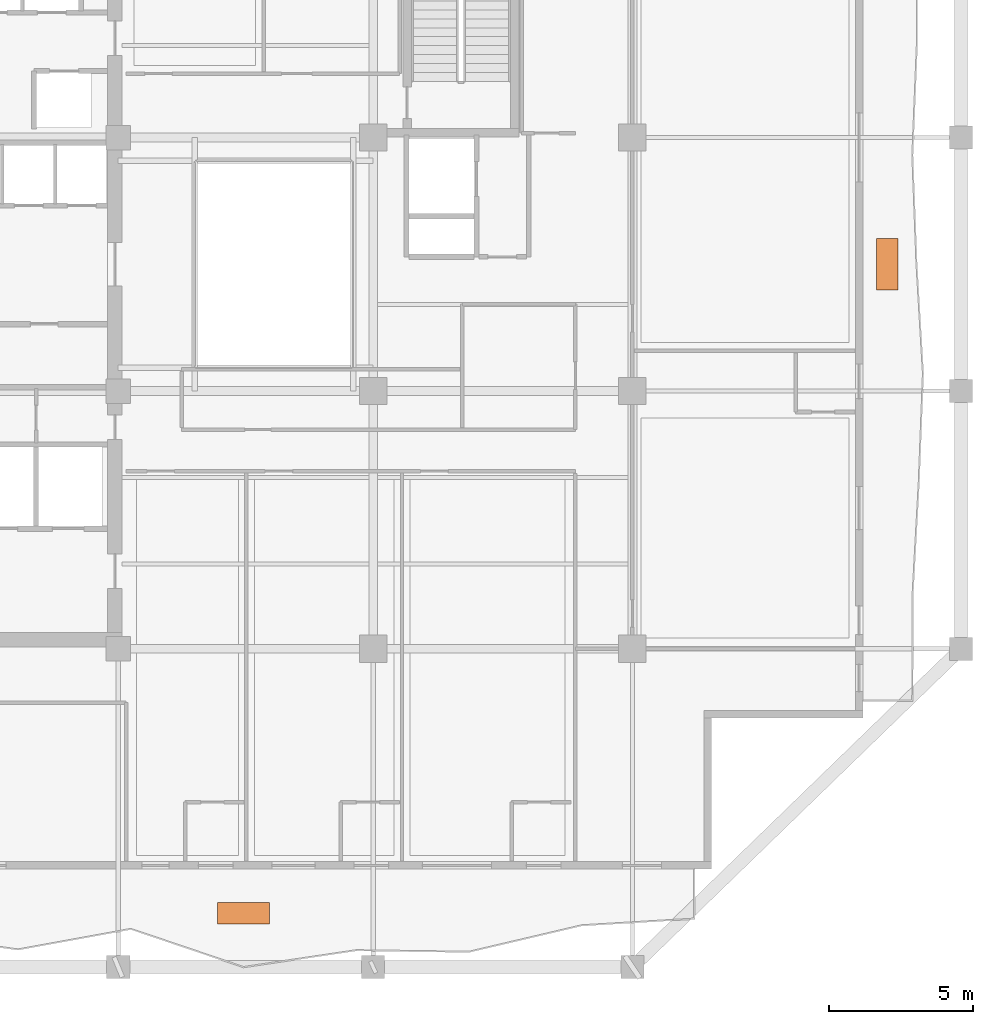
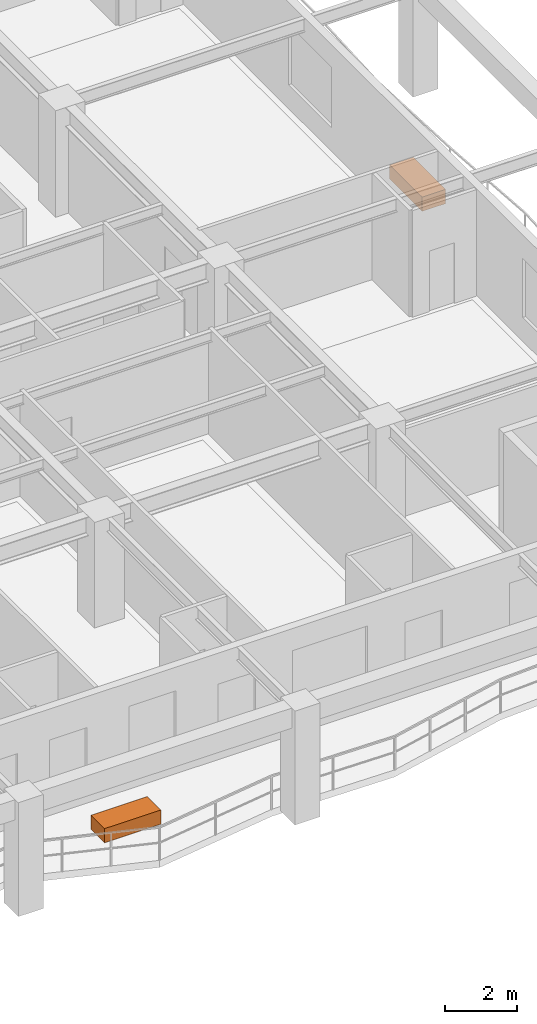
# One storey, part 13 of 13: 2 proxies.
"""IFC4 building model written with IfcOpenShell, lengths in metres."""

from ifc_helpers import new_model, si_unit, direction, frame, origin, origin_2d, place, context, subcontext, project, spatial, rectangle, extrude, material, type_object, element, save


model = new_model("IFC4")

# Units and contexts
model_context = context("Model", 3, precision=1e-05, world=origin(), true_north=direction((0.0, 1.0)))
body_context = subcontext(model_context, "Body", "Model", "MODEL_VIEW")
ifc_project = project(units=[si_unit("LENGTHUNIT", "METRE"), si_unit("AREAUNIT", "SQUARE_METRE"), si_unit("VOLUMEUNIT", "CUBIC_METRE"), si_unit("PLANEANGLEUNIT", "RADIAN"), si_unit("MASSUNIT", "GRAM", prefix="KILO")], contexts=[model_context])

# Site, building, storey
site_placement = place(None, origin())
site = spatial("IfcSite", under=ifc_project, at=site_placement, CompositionType="ELEMENT")
building_placement = place(site_placement, origin())
building = spatial("IfcBuilding", under=site, at=building_placement, Name="Kundavana Baori Tower", CompositionType="ELEMENT")
storey_placement = place(building_placement, frame((0.0, 0.0, 177.14990234375)))
storey = spatial("IfcBuildingStorey", under=building, at=storey_placement, Name="L43", CompositionType="ELEMENT", Elevation=177.14990234375)

# Proxies
ifc_material = material(Name="Red-Buff Dholpur Sandstone Cladding on Concrete C40/50", Category="masonry")
building_element_proxy_type = type_object("IfcBuildingElementProxyType", Name="PRX-PLANTER-1800", PredefinedType="USERDEFINED", material=ifc_material)
for number, where, z_axis, x_axis, name in (
    (1, (29.300048828125, 6.070068359375, 0.0), (0.0, 0.0, 1.0), (1.0, 0.0, 0.0), "L43 Dholpur Stone Structural Tree Planter S"),
    (2, (51.639892578125, 28.60009765625, 0.0), (0.0, 0.0, 1.0), (0.0, 1.0, 0.0), "L43 Dholpur Stone Structural Tree Planter E"),
):
    element("IfcBuildingElementProxy", number, at=place(storey_placement, frame(where, z_axis=z_axis, x_axis=x_axis)), inside=storey, type_object=building_element_proxy_type, Name=name, ObjectType="PLANTER", PredefinedType="USERDEFINED", context=body_context, shape_type="SweptSolid", body=[
        extrude(rectangle(XDim=1.800048828125, YDim=0.75, at=origin_2d()), origin(), (0.0, 0.0, 1.0), 0.47998046875),
    ])

save(model, "model.ifc")
